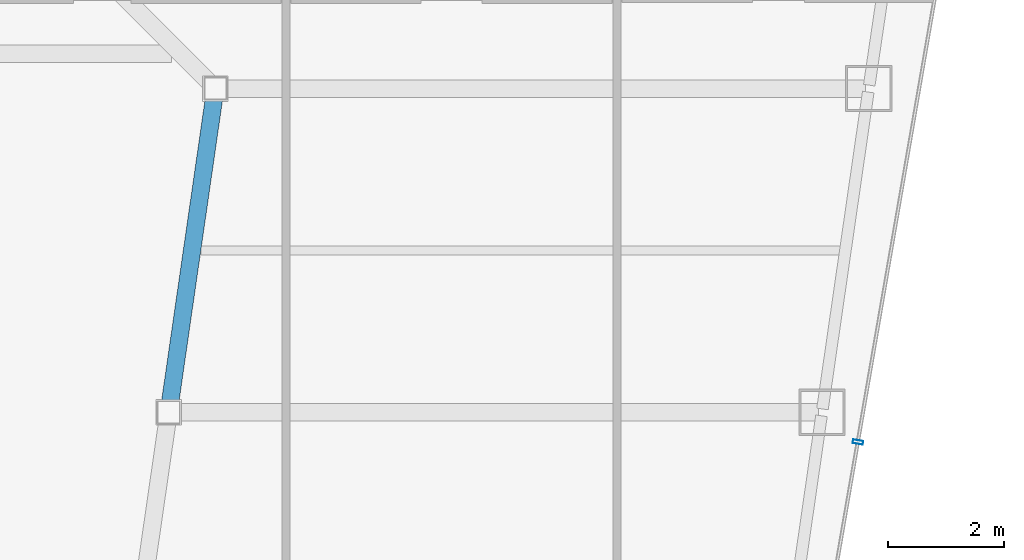
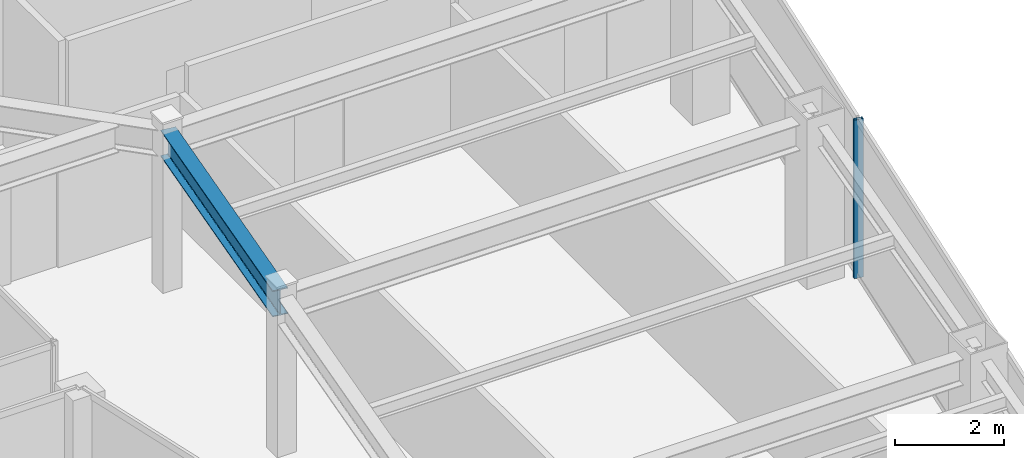
# One storey, part 16 of 33: 1 beam, 1 member, 1 element without a shape of its own.
"""IFC4 building model written with IfcOpenShell, lengths in metres."""

from ifc_helpers import new_model, si_unit, direction, frame, origin, origin_2d, place, context, subcontext, project, spatial, hollow_rectangle, i_section, extrude, material, material_profile, profile_set, type_object, element, aggregate, save


model = new_model("IFC4")

# Units and contexts
model_context = context("Model", 3, precision=1e-05, world=origin(), true_north=direction((0.0, 1.0)))
body_context = subcontext(model_context, "Body", "Model", "MODEL_VIEW")
ifc_project = project(units=[si_unit("LENGTHUNIT", "METRE"), si_unit("AREAUNIT", "SQUARE_METRE"), si_unit("VOLUMEUNIT", "CUBIC_METRE"), si_unit("PLANEANGLEUNIT", "RADIAN"), si_unit("MASSUNIT", "GRAM", prefix="KILO")], contexts=[model_context])

# Site, building, storey
site_placement = place(None, origin())
site = spatial("IfcSite", under=ifc_project, at=site_placement, CompositionType="ELEMENT")
building_placement = place(site_placement, origin())
building = spatial("IfcBuilding", under=site, at=building_placement, Name="Saevonmaru Cultural Tower", CompositionType="ELEMENT")
storey_placement = place(building_placement, frame((0.0, 0.0, 234.39990234375)))
storey = spatial("IfcBuildingStorey", under=building, at=storey_placement, Name="L54", CompositionType="ELEMENT", Elevation=234.39990234375)

# Beam
ifc_material_1 = material(Name="Steel SM355", Category="steel")
ifc_material_profile_1 = material_profile(ifc_material_1, i_section(OverallWidth=0.300048828125, OverallDepth=0.587890625, WebThickness=0.011962890625, FlangeThickness=0.02001953125, FilletRadius=0.02392578125, at=origin_2d()), Name="H-588x300x12x20")
ifc_profile_set_1 = profile_set([ifc_material_profile_1], Name="Steel SM355")
beam_type = type_object("IfcBeamType", Name="BM-G-H588", PredefinedType="BEAM", material=ifc_profile_set_1)
beam_placement = place(storey_placement, frame((40.3916015625, 32.059326171875, 3.256103515625), z_axis=(0.142964121327, 0.989727871697, 0.0), x_axis=(-0.989727871697, 0.142964121327, 0.0)))
element("IfcBeam", 1, at=beam_placement, inside=storey, type_object=beam_type, Name="L54 East Atrium Girder 3", PredefinedType="BEAM", context=body_context, shape_type="SweptSolid", body=[
    extrude(i_section(OverallWidth=0.300048828125, OverallDepth=0.587890625, WebThickness=0.011962890625, FlangeThickness=0.02001953125, FilletRadius=0.02392578125, at=origin_2d()), origin(), (0.0, 0.0, 1.0), 5.5380859375),
])

# Curtain wall, member
ifc_material_2 = material(Name="Satin Bronze Anodised Aluminium", Category="aluminium")
curtain_wall_type = type_object("IfcCurtainWallType", Name="CW-TYP-B", PredefinedType="NOTDEFINED", material=ifc_material_2)
curtain_wall_placement = place(storey_placement, origin())
curtain_wall = element("IfcCurtainWall", 2, at=curtain_wall_placement, inside=storey, type_object=curtain_wall_type, Name="L54 Unitised Curtain Wall E8", PredefinedType="NOTDEFINED")
ifc_material_profile_2 = material_profile(ifc_material_2, hollow_rectangle(XDim=0.06494140625, YDim=0.179931640625, WallThickness=0.00390625, at=origin_2d()), Name="ALU-MULL-180x65x4")
ifc_profile_set_2 = profile_set([ifc_material_profile_2], Name="Satin Bronze Anodised Aluminium")
member_type = type_object("IfcMemberType", Name="ML-CW-180x65", PredefinedType="MULLION", material=ifc_profile_set_2)
member_placement = place(storey_placement, frame((52.3056640625, 31.486328125, 0.0), z_axis=(0.0, 0.0, 1.0), x_axis=(0.170790369887, 0.985307388359, 0.0)))
member = element("IfcMember", 3, at=member_placement, type_object=member_type, Name="CW-TW-L54-E8 mullion 2", PredefinedType="MULLION", context=body_context, shape_type="SweptSolid", body=[
    extrude(hollow_rectangle(XDim=0.06494140625, YDim=0.179931640625, WallThickness=0.00390625, at=origin_2d()), origin(), (0.0, 0.0, 1.0), 3.550048828125),
])
aggregate(curtain_wall, [member])

save(model, "model.ifc")
